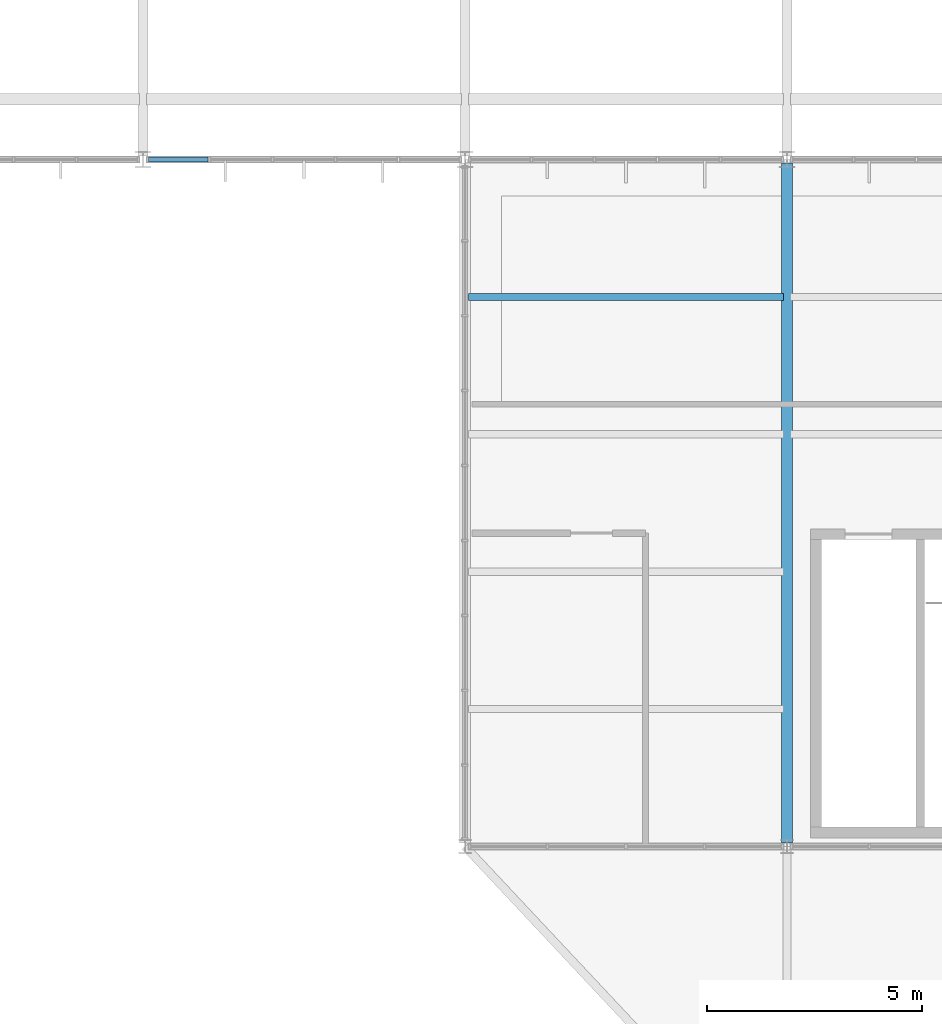
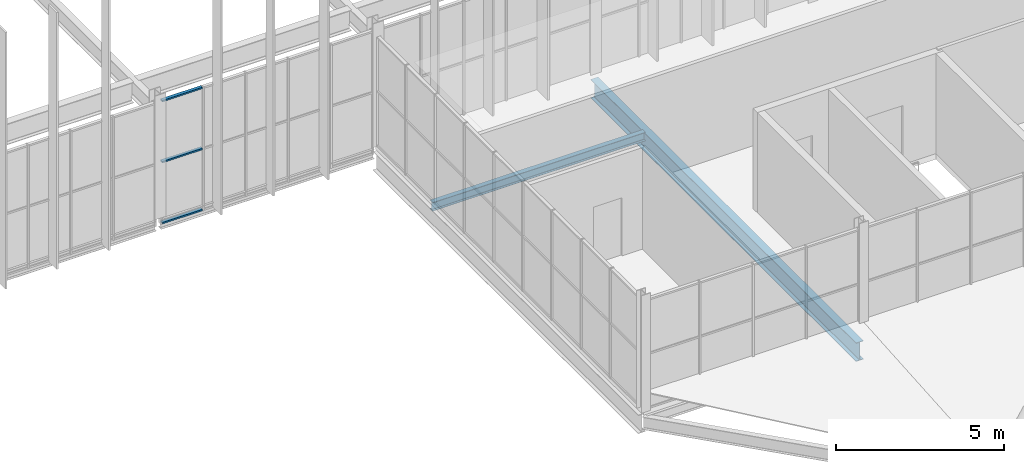
# One storey, part 177 of 324: 3 members, 2 beams, 1 element without a shape of its own.
"""IFC4 building model written with IfcOpenShell, lengths in metres."""

from ifc_helpers import new_model, si_unit, direction, frame, origin, origin_2d, place, context, subcontext, project, spatial, hollow_rectangle, i_section, extrude, material, layer, layer_set, material_profile, profile_set, type_object, element, aggregate, save


model = new_model("IFC4")

# Units and contexts
model_context = context("Model", 3, precision=1e-05, world=origin(), true_north=direction((0.0, 1.0)))
body_context = subcontext(model_context, "Body", "Model", "MODEL_VIEW")
ifc_project = project(units=[si_unit("LENGTHUNIT", "METRE"), si_unit("AREAUNIT", "SQUARE_METRE"), si_unit("VOLUMEUNIT", "CUBIC_METRE"), si_unit("PLANEANGLEUNIT", "RADIAN"), si_unit("MASSUNIT", "GRAM", prefix="KILO")], contexts=[model_context])

# Site, building, storey
site_placement = place(None, origin())
site = spatial("IfcSite", under=ifc_project, at=site_placement, CompositionType="ELEMENT")
building_placement = place(site_placement, origin())
building = spatial("IfcBuilding", under=site, at=building_placement, Name="Solvenia Promenade Tram Depot", CompositionType="ELEMENT")
storey_placement = place(building_placement, frame((0.0, 0.0, 4.5)))
storey = spatial("IfcBuildingStorey", under=building, at=storey_placement, Name="L01", CompositionType="ELEMENT", Elevation=4.5)

# Curtain wall, members
ifc_material_1 = material(Name="Anodized aluminium AW-6063 T6", Category="aluminium")
ifc_layer = layer(ifc_material_1, 0.080078125, Name="Anodized aluminium AW-6063 T6", Category="aluminium")
ifc_layer_set = layer_set([ifc_layer], Name="Anodized aluminium AW-6063 T6")
curtain_wall_type = type_object("IfcCurtainWallType", Name="CW-Clerest-1500", PredefinedType="NOTDEFINED", material=ifc_layer_set)
curtain_wall_placement = place(storey_placement, origin())
curtain_wall = element("IfcCurtainWall", 1, at=curtain_wall_placement, inside=storey, type_object=curtain_wall_type, Name="Curtain Wall CW-V2S-L1-04", PredefinedType="NOTDEFINED")
ifc_material_profile_1 = material_profile(ifc_material_1, hollow_rectangle(XDim=0.110107421875, YDim=0.054931640625, WallThickness=0.00390625, at=origin_2d()), Name="ALU-T4", Category="aluminium")
ifc_profile_set_1 = profile_set([ifc_material_profile_1], Name="Anodized aluminium AW-6063 T6")
member_type = type_object("IfcMemberType", Name="CWT-Transom-4", PredefinedType="USERDEFINED", material=ifc_profile_set_1)
member_1_placement = place(storey_placement, frame((127.635009765625, 24.0, -0.322509765625), z_axis=(1.0, 0.0, 0.0), x_axis=(0.0, 1.0, 0.0)))
member_1 = element("IfcMember", 2, at=member_1_placement, type_object=member_type, Name="CW-4 transom 1.1", ObjectType="TRANSOM", PredefinedType="USERDEFINED", context=body_context, shape_type="SweptSolid", body=[
    extrude(hollow_rectangle(XDim=0.110107421875, YDim=0.054931640625, WallThickness=0.00390625, at=origin_2d()), origin(), (0.0, 0.0, 1.0), 1.385498046875),
])
member_2_placement = place(storey_placement, frame((127.635009765625, 24.0, 1.89990234375), z_axis=(1.0, 0.0, 0.0), x_axis=(0.0, 1.0, 0.0)))
member_2 = element("IfcMember", 3, at=member_2_placement, type_object=member_type, Name="CW-4 transom 1.2", ObjectType="TRANSOM", PredefinedType="USERDEFINED", context=body_context, shape_type="SweptSolid", body=[
    extrude(hollow_rectangle(XDim=0.110107421875, YDim=0.054931640625, WallThickness=0.00390625, at=origin_2d()), origin(), (0.0, 0.0, 1.0), 1.385498046875),
])
member_3_placement = place(storey_placement, frame((127.635009765625, 24.0, 4.12255859375), z_axis=(1.0, 0.0, 0.0), x_axis=(0.0, 1.0, 0.0)))
member_3 = element("IfcMember", 4, at=member_3_placement, type_object=member_type, Name="CW-4 transom 1.3", ObjectType="TRANSOM", PredefinedType="USERDEFINED", context=body_context, shape_type="SweptSolid", body=[
    extrude(hollow_rectangle(XDim=0.110107421875, YDim=0.054931640625, WallThickness=0.00390625, at=origin_2d()), origin(), (0.0, 0.0, 1.0), 1.385498046875),
])
aggregate(curtain_wall, [member_1, member_2, member_3])

# Beams
ifc_material_2 = material(Name="Structural steel ASTM A992 Gr. 50", Category="steel")
ifc_material_profile_2 = material_profile(ifc_material_2, i_section(OverallWidth=0.25390625, OverallDepth=0.68408203125, WebThickness=0.012451171875, FlangeThickness=0.018798828125, FilletRadius=0.01611328125, at=origin_2d()), Name="W690x140", Category="steel")
ifc_profile_set_2 = profile_set([ifc_material_profile_2], Name="Structural steel ASTM A992 Gr. 50")
beam_type_1 = type_object("IfcBeamType", Name="Gird-W690x140", PredefinedType="BEAM", material=ifc_profile_set_2)
beam_1_placement = place(storey_placement, frame((142.5, 8.0849609375, -0.56201171875), z_axis=(0.0, 1.0, 0.0), x_axis=(-1.0, 0.0, 0.0)))
element("IfcBeam", 5, at=beam_1_placement, inside=storey, type_object=beam_type_1, Name="Transverse Girder BM-L01-0425", PredefinedType="BEAM", context=body_context, shape_type="SweptSolid", body=[
    extrude(i_section(OverallWidth=0.25390625, OverallDepth=0.68408203125, WebThickness=0.012451171875, FlangeThickness=0.018798828125, FilletRadius=0.01611328125, at=origin_2d()), origin(), (0.0, 0.0, 1.0), 15.830078125),
])
ifc_material_profile_3 = material_profile(ifc_material_2, i_section(OverallWidth=0.166015625, OverallDepth=0.31298828125, WebThickness=0.006591796875, FlangeThickness=0.01123046875, FilletRadius=0.010009765625, at=origin_2d()), Name="W310x45", Category="steel")
ifc_profile_set_3 = profile_set([ifc_material_profile_3], Name="Structural steel ASTM A992 Gr. 50")
beam_type_2 = type_object("IfcBeamType", Name="Joist-W310x45", PredefinedType="JOIST", material=ifc_profile_set_3)
beam_2_placement = place(storey_placement, frame((135.0849609375, 20.800048828125, -0.37646484375), z_axis=(1.0, 0.0, 0.0), x_axis=(0.0, 1.0, 0.0)))
element("IfcBeam", 6, at=beam_2_placement, inside=storey, type_object=beam_type_2, Name="Secondary Floor Joist BM-L01-0433", PredefinedType="JOIST", context=body_context, shape_type="SweptSolid", body=[
    extrude(i_section(OverallWidth=0.166015625, OverallDepth=0.31298828125, WebThickness=0.006591796875, FlangeThickness=0.01123046875, FilletRadius=0.010009765625, at=origin_2d()), origin(), (0.0, 0.0, 1.0), 7.330078125),
])

save(model, "model.ifc")
